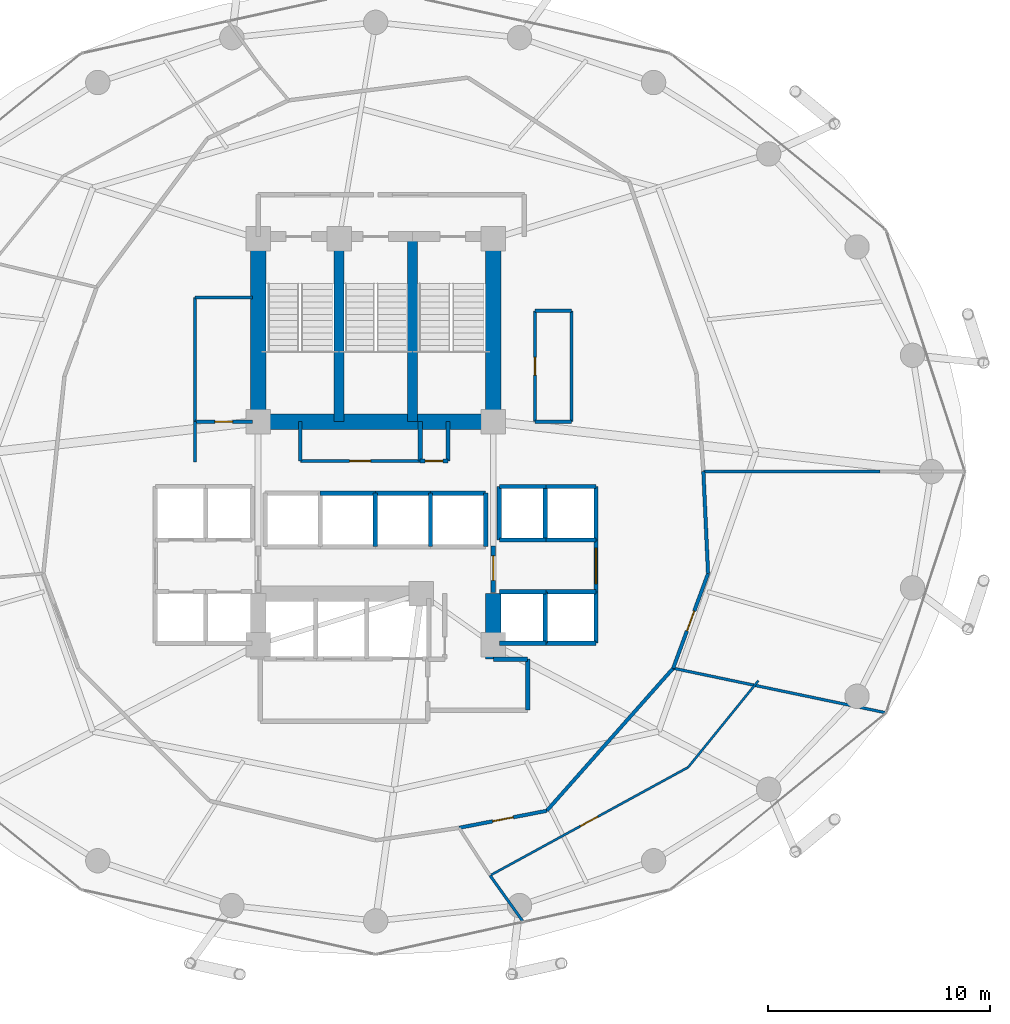
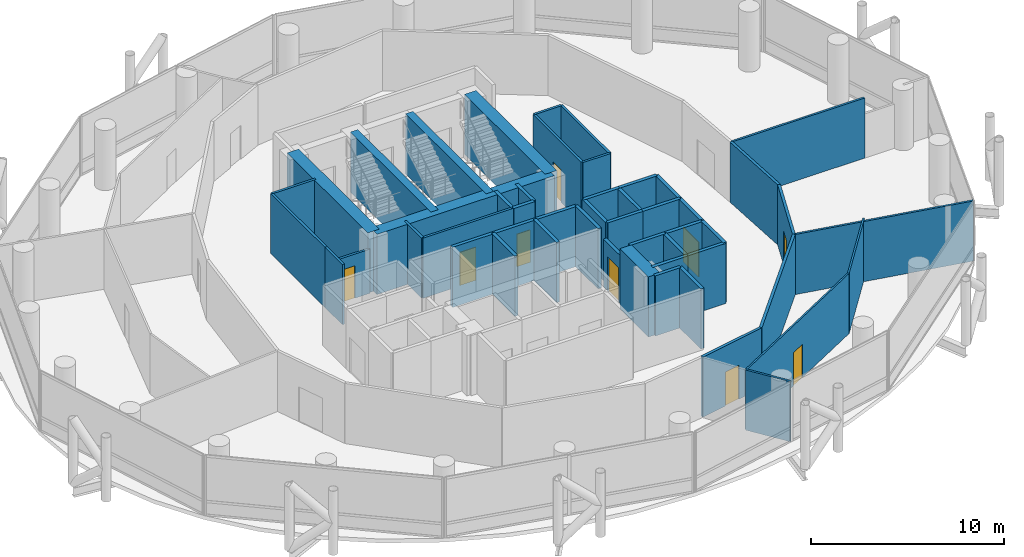
# One storey, part 22 of 24: 51 walls, 9 doors, 9 openings.
"""IFC4 building model written with IfcOpenShell, lengths in metres."""

from ifc_helpers import new_model, si_unit, direction, frame, frame_2d, origin, place, context, subcontext, project, spatial, rectangle, extrude, material, layer, layer_set, type_object, element, fill, save


model = new_model("IFC4")

# Units and contexts
model_context = context("Model", 3, precision=1e-05, world=origin(), true_north=direction((0.0, 1.0)))
body_context = subcontext(model_context, "Body", "Model", "MODEL_VIEW")
ifc_project = project(units=[si_unit("LENGTHUNIT", "METRE"), si_unit("AREAUNIT", "SQUARE_METRE"), si_unit("VOLUMEUNIT", "CUBIC_METRE"), si_unit("PLANEANGLEUNIT", "RADIAN"), si_unit("MASSUNIT", "GRAM", prefix="KILO")], contexts=[model_context])

# Site, building, storey
site_placement = place(None, origin())
site = spatial("IfcSite", under=ifc_project, at=site_placement, CompositionType="ELEMENT")
building_placement = place(site_placement, origin())
building = spatial("IfcBuilding", under=site, at=building_placement, Name="Nuhasar Tower", CompositionType="ELEMENT")
storey_placement = place(building_placement, frame((0.0, 0.0, 89.85009765625)))
storey = spatial("IfcBuildingStorey", under=building, at=storey_placement, Name="L21", CompositionType="ELEMENT", Elevation=89.85009765625)

# Walls
ifc_material_1 = material(Name="Concrete C50/60", Category="concrete")
ifc_layer_1 = layer(ifc_material_1, 0.449951171875)
ifc_layer_set_1 = layer_set([ifc_layer_1], Name="Concrete C50/60")
wall_type_1 = type_object("IfcWallType", Name="WL-CORE-450", PredefinedType="SHEAR", material=ifc_layer_set_1)
for number, where, z_axis, x_axis, name in (
    (1, (37.35009765625, 29.050048828125, 0.0), (0.0, 0.0, 1.0), (0.0, 1.0, 0.0), "L21 Stairwell Shear Wall ST01-E"),
    (2, (40.64990234375, 29.050048828125, 0.0), (0.0, 0.0, 1.0), (0.0, 1.0, 0.0), "L21 Stairwell Shear Wall ST03-E"),
):
    element("IfcWall", number, at=place(storey_placement, frame(where, z_axis=z_axis, x_axis=x_axis)), inside=storey, type_object=wall_type_1, Name=name, PredefinedType="SHEAR", context=body_context, shape_type="SweptSolid", body=[
        extrude(rectangle(XDim=8.349853515625, YDim=0.449951171875, at=frame_2d((4.1748046875, 0.0))), origin(), (0.0, 0.0, 1.0), 3.7998046875),
    ])
ifc_material_2 = material(Name="Concrete C65/80", Category="concrete")
ifc_layer_2 = layer(ifc_material_2, 0.699951171875)
ifc_layer_set_2 = layer_set([ifc_layer_2], Name="Concrete C65/80")
wall_type_2 = type_object("IfcWallType", Name="WL-CORE-700", PredefinedType="SHEAR", material=ifc_layer_set_2)
for number, where, z_axis, x_axis, name in (
    (3, (33.699951171875, 29.050048828125, 0.0), (0.0, 0.0, 1.0), (0.0, 1.0, 0.0), "L21 Core Shear Wall CW-NW CW-700"),
    (4, (44.300048828125, 29.050048828125, 0.0), (0.0, 0.0, 1.0), (0.0, 1.0, 0.0), "L21 Core Shear Wall CW-NE CW-700"),
):
    element("IfcWall", number, at=place(storey_placement, frame(where, z_axis=z_axis, x_axis=x_axis)), inside=storey, type_object=wall_type_2, Name=name, PredefinedType="SHEAR", context=body_context, shape_type="SweptSolid", body=[
        extrude(rectangle(XDim=8.349853515625, YDim=0.699951171875, at=frame_2d((4.1748046875, 0.0))), origin(), (0.0, 0.0, 1.0), 3.7998046875),
    ])
wall_1_placement = place(storey_placement, frame((44.300048828125, 18.35009765625, 0.0), z_axis=(0.0, 0.0, 1.0), x_axis=(0.0, 1.0, 0.0)))
element("IfcWall", 5, at=wall_1_placement, inside=storey, type_object=wall_type_2, Name="L21 Core Shear Wall CW-SE CW-700", PredefinedType="SHEAR", context=body_context, shape_type="SweptSolid", body=[
    extrude(rectangle(XDim=2.949951171875, YDim=0.699951171875, at=frame_2d((1.47509765625, 0.0))), origin(), (0.0, 0.0, 1.0), 3.7998046875),
])
wall_2_placement = place(storey_placement, frame((33.699951171875, 29.050048828125, 0.0), z_axis=(0.0, 0.0, 1.0), x_axis=(1.0, 0.0, 0.0)))
element("IfcWall", 6, at=wall_2_placement, inside=storey, type_object=wall_type_2, Name="L21 Core Shear Wall CW-N1 CW-700", PredefinedType="SHEAR", context=body_context, shape_type="SweptSolid", body=[
    extrude(rectangle(XDim=10.60009765625, YDim=0.699951171875, at=frame_2d((5.300048828125, 0.0))), origin(), (0.0, 0.0, 1.0), 3.7998046875),
])

# Wall, opening, door
ifc_material_3 = material(Name="Gypsum Board", Category="gypsum")
ifc_layer_3 = layer(ifc_material_3, 0.159912109375)
ifc_layer_set_3 = layer_set([ifc_layer_3], Name="Gypsum Board")
wall_type_3 = type_object("IfcWallType", Name="WL-CORR-160", PredefinedType="PARTITIONING", material=ifc_layer_set_3)
wall_3_placement = place(storey_placement, frame((46.7099609375, 11.513916015625, 0.0), z_axis=(0.0, 0.0, 1.0), x_axis=(-0.981643469131, -0.1907251937, 0.0)))
wall_3 = element("IfcWall", 7, at=wall_3_placement, inside=storey, type_object=wall_type_3, Name="L21 Interior Partition CORR-38", PredefinedType="PARTITIONING", context=body_context, shape_type="SweptSolid", body=[
    extrude(rectangle(XDim=4.02587890625, YDim=0.159912109375, at=frame_2d((2.012939453125, 0.0))), origin(), (0.0, 0.0, 1.0), 3.7998046875),
])
opening_1_placement = place(wall_3_placement, frame((1.5380859375, 0.0, 0.0)))
opening_1 = element("IfcOpeningElement", 8, at=opening_1_placement, cuts=wall_3, Name="Opening DO-01", PredefinedType="OPENING", context=body_context, shape_type="SweptSolid", body=[
    extrude(rectangle(XDim=0.949951171875, YDim=2.14990234375, at=frame_2d((0.47509765625, 1.074951171875))), frame((0.0, 0.08984375, 0.0), z_axis=(0.0, -1.0, 0.0), x_axis=(1.0, 0.0, 0.0)), (0.0, 0.0, 1.0), 0.179931640625),
])
ifc_material_4 = material(Name="Timber Oak", Category="wood")
door_type_1 = type_object("IfcDoorType", Name="DR-OFFICE-FD30-950", OperationType="NOTDEFINED", PredefinedType="DOOR", material=ifc_material_4)
door_1_placement = place(opening_1_placement, origin())
door_1 = element("IfcDoor", 9, at=door_1_placement, inside=storey, type_object=door_type_1, Name="L21 Press Briefing Room Entry Door", OperationType="SINGLE_SWING_LEFT", OverallHeight=2.14990234375, OverallWidth=0.949951171875, PredefinedType="DOOR", context=body_context, shape_type="SweptSolid", body=[
    extrude(rectangle(XDim=0.949951171875, YDim=2.14990234375, at=frame_2d((0.47509765625, 1.074951171875))), frame((0.0, 0.02490234375, 0.0), z_axis=(0.0, -1.0, 0.0), x_axis=(1.0, 0.0, 0.0)), (0.0, 0.0, 1.0), 0.050048828125),
])
fill(opening_1, door_1)

# Wall
wall_4_placement = place(storey_placement, frame((46.7099609375, 11.513916015625, 0.0), z_axis=(0.0, 0.0, 1.0), x_axis=(0.663571234799, 0.74811310398, 0.0)))
element("IfcWall", 10, at=wall_4_placement, inside=storey, type_object=wall_type_3, Name="L21 Interior Partition CORR-40", PredefinedType="PARTITIONING", context=body_context, shape_type="SweptSolid", body=[
    extrude(rectangle(XDim=8.58837890625, YDim=0.159912109375, at=frame_2d((4.294189453125, 0.0))), origin(), (0.0, 0.0, 1.0), 3.7998046875),
])

# Wall, opening, door
wall_5_placement = place(storey_placement, frame((53.98095703125, 22.205078125, 0.0), z_axis=(0.0, 0.0, 1.0), x_axis=(-0.345762592588, -0.938322028712, 0.0)))
wall_5 = element("IfcWall", 11, at=wall_5_placement, inside=storey, type_object=wall_type_3, Name="L21 Interior Partition CORR-44", PredefinedType="PARTITIONING", context=body_context, shape_type="SweptSolid", body=[
    extrude(rectangle(XDim=4.546630859375, YDim=0.159912109375, at=frame_2d((2.2734375, 0.0))), origin(), (0.0, 0.0, 1.0), 3.7998046875),
])
opening_2_placement = place(wall_5_placement, frame((1.798095703125, 0.0, 0.0)))
opening_2 = element("IfcOpeningElement", 12, at=opening_2_placement, cuts=wall_5, Name="Opening DO-01", PredefinedType="OPENING", context=body_context, shape_type="SweptSolid", body=[
    extrude(rectangle(XDim=0.949951171875, YDim=2.14990234375, at=frame_2d((0.47509765625, 1.074951171875))), frame((0.0, 0.08984375, 0.0), z_axis=(0.0, -1.0, 0.0), x_axis=(1.0, 0.0, 0.0)), (0.0, 0.0, 1.0), 0.179931640625),
])
door_2_placement = place(opening_2_placement, origin())
door_2 = element("IfcDoor", 13, at=door_2_placement, inside=storey, type_object=door_type_1, Name="L21 Diplomatic Registry Store Entry Door", OperationType="SINGLE_SWING_LEFT", OverallHeight=2.14990234375, OverallWidth=0.949951171875, PredefinedType="DOOR", context=body_context, shape_type="SweptSolid", body=[
    extrude(rectangle(XDim=0.949951171875, YDim=2.14990234375, at=frame_2d((0.47509765625, 1.074951171875))), frame((0.0, 0.02490234375, 0.0), z_axis=(0.0, -1.0, 0.0), x_axis=(1.0, 0.0, 0.0)), (0.0, 0.0, 1.0), 0.050048828125),
])
fill(opening_2, door_2)

# Wall
wall_6_placement = place(storey_placement, frame((53.98095703125, 22.205078125, 0.0), z_axis=(0.0, 0.0, 1.0), x_axis=(-0.045857874173, 0.998947974309, 0.0)))
element("IfcWall", 14, at=wall_6_placement, inside=storey, type_object=wall_type_3, Name="L21 Interior Partition CORR-46", PredefinedType="PARTITIONING", context=body_context, shape_type="SweptSolid", body=[
    extrude(rectangle(XDim=4.599853515625, YDim=0.159912109375, at=frame_2d((2.2998046875, 0.0))), origin(), (0.0, 0.0, 1.0), 3.7998046875),
])

# Wall, opening, door
ifc_material_5 = material(Name="Concrete C45/55", Category="concrete")
ifc_layer_4 = layer(ifc_material_5, 0.199951171875)
ifc_layer_set_4 = layer_set([ifc_layer_4], Name="Concrete C45/55")
wall_type_4 = type_object("IfcWallType", Name="WL-LOBBY-200", PredefinedType="SOLIDWALL", material=ifc_layer_set_4)
wall_7_placement = place(storey_placement, frame((48.929931640625, 21.3798828125, 0.0), z_axis=(0.0, 0.0, 1.0), x_axis=(0.0, 1.0, 0.0)))
wall_7 = element("IfcWall", 15, at=wall_7_placement, inside=storey, type_object=wall_type_4, Name="L21 Interior Partition LLBM-E", PredefinedType="SOLIDWALL", context=body_context, shape_type="SweptSolid", body=[
    extrude(rectangle(XDim=2.340087890625, YDim=0.199951171875, at=frame_2d((1.169921875, 0.0))), origin(), (0.0, 0.0, 1.0), 3.7998046875),
])
opening_3_placement = place(wall_7_placement, frame((0.3701171875, 0.0, 0.0)))
opening_3 = element("IfcOpeningElement", 16, at=opening_3_placement, cuts=wall_7, Name="Opening DC-01", PredefinedType="OPENING", context=body_context, shape_type="SweptSolid", body=[
    extrude(rectangle(XDim=1.60009765625, YDim=2.199951171875, at=frame_2d((0.800048828125, 1.10009765625))), frame((0.0, 0.10986328125, 0.0), z_axis=(0.0, -1.0, 0.0), x_axis=(1.0, 0.0, 0.0)), (0.0, 0.0, 1.0), 0.219970703125),
])
ifc_material_6 = material(Name="Steel S355", Category="steel")
door_type_2 = type_object("IfcDoorType", Name="DR-CORR-FD60-1600", OperationType="DOUBLE_DOOR_SINGLE_SWING", PredefinedType="DOOR", material=ifc_material_6)
door_3_placement = place(opening_3_placement, origin())
door_3 = element("IfcDoor", 17, at=door_3_placement, inside=storey, type_object=door_type_2, Name="L21 Mid-Rise Lift Lobby East Entry", OperationType="DOUBLE_DOOR_SINGLE_SWING", OverallHeight=2.199951171875, OverallWidth=1.60009765625, PredefinedType="DOOR", context=body_context, shape_type="SweptSolid", body=[
    extrude(rectangle(XDim=1.60009765625, YDim=2.199951171875, at=frame_2d((0.800048828125, 1.10009765625))), frame((0.0, 0.02490234375, 0.0), z_axis=(0.0, -1.0, 0.0), x_axis=(1.0, 0.0, 0.0)), (0.0, 0.0, 1.0), 0.050048828125),
])
fill(opening_3, door_3)

wall_8_placement = place(storey_placement, frame((44.300048828125, 21.35009765625, 0.0), z_axis=(0.0, 0.0, 1.0), x_axis=(0.0, 1.0, 0.0)))
wall_8 = element("IfcWall", 18, at=wall_8_placement, inside=storey, type_object=wall_type_4, Name="L21 Interior Partition LLBH-E", PredefinedType="SOLIDWALL", context=body_context, shape_type="SweptSolid", body=[
    extrude(rectangle(XDim=2.099853515625, YDim=0.199951171875, at=frame_2d((1.0498046875, 0.0))), origin(), (0.0, 0.0, 1.0), 3.02001953125),
])
opening_4_placement = place(wall_8_placement, frame((0.550048828125, 0.0, 0.0)))
opening_4 = element("IfcOpeningElement", 19, at=opening_4_placement, cuts=wall_8, Name="Opening DS-02", PredefinedType="OPENING", context=body_context, shape_type="SweptSolid", body=[
    extrude(rectangle(XDim=1.10009765625, YDim=2.14990234375, at=frame_2d((0.550048828125, 1.074951171875))), frame((0.0, 0.10986328125, 0.0), z_axis=(0.0, -1.0, 0.0), x_axis=(1.0, 0.0, 0.0)), (0.0, 0.0, 1.0), 0.219970703125),
])
door_type_3 = type_object("IfcDoorType", Name="DR-FFL-FD120-1100", OperationType="NOTDEFINED", PredefinedType="DOOR", material=ifc_material_6)
door_4_placement = place(opening_4_placement, origin())
door_4 = element("IfcDoor", 20, at=door_4_placement, inside=storey, type_object=door_type_3, Name="L21 High-Rise Lobby East Door", OperationType="SINGLE_SWING_RIGHT", OverallHeight=2.14990234375, OverallWidth=1.10009765625, PredefinedType="DOOR", context=body_context, shape_type="SweptSolid", body=[
    extrude(rectangle(XDim=1.10009765625, YDim=2.14990234375, at=frame_2d((0.550048828125, 1.074951171875))), frame((0.0, 0.02490234375, 0.0), z_axis=(0.0, -1.0, 0.0), x_axis=(1.0, 0.0, 0.0)), (0.0, 0.0, 1.0), 0.050048828125),
])
fill(opening_4, door_4)

# Walls
wall_9_placement = place(storey_placement, frame((45.85009765625, 16.050048828125, 0.0), z_axis=(0.0, 0.0, 1.0), x_axis=(0.0, 1.0, 0.0)))
element("IfcWall", 21, at=wall_9_placement, inside=storey, type_object=wall_type_4, Name="L21 Interior Partition SVLV-E", PredefinedType="SOLIDWALL", context=body_context, shape_type="SweptSolid", body=[
    extrude(rectangle(XDim=2.300048828125, YDim=0.199951171875, at=frame_2d((1.14990234375, 0.0))), origin(), (0.0, 0.0, 1.0), 3.7998046875),
])
wall_10_placement = place(storey_placement, frame((44.300048828125, 18.35009765625, 0.0), z_axis=(0.0, 0.0, 1.0), x_axis=(1.0, 0.0, 0.0)))
element("IfcWall", 22, at=wall_10_placement, inside=storey, type_object=wall_type_4, Name="L21 Interior Partition SVLV-N", PredefinedType="SOLIDWALL", context=body_context, shape_type="SweptSolid", body=[
    extrude(rectangle(XDim=1.550048828125, YDim=0.199951171875, at=frame_2d((0.77490234375, 0.0))), origin(), (0.0, 0.0, 1.0), 3.7998046875),
])

# Wall, opening, door
ifc_material_7 = material(Name="Aluminium 6063-T6", Category="aluminium")
ifc_layer_5 = layer(ifc_material_7, 0.10009765625)
ifc_layer_set_5 = layer_set([ifc_layer_5], Name="Aluminium 6063-T6")
wall_type_5 = type_object("IfcWallType", Name="WL-MOVABLE-100", PredefinedType="MOVABLE", material=ifc_layer_set_5)
wall_11_placement = place(storey_placement, frame((53.083984375, 13.47509765625, 0.0), z_axis=(0.0, 0.0, 1.0), x_axis=(-0.877612050375, -0.479371556349, 0.0)))
wall_11 = element("IfcWall", 23, at=wall_11_placement, inside=storey, type_object=wall_type_5, Name="L21 Interior Partition OMID-05-38", PredefinedType="MOVABLE", context=body_context, shape_type="SweptSolid", body=[
    extrude(rectangle(XDim=10.174072265625, YDim=0.10009765625, at=frame_2d((5.0869140625, 0.0))), origin(), (0.0, 0.0, 1.0), 3.7998046875),
])
opening_5_placement = place(wall_11_placement, frame((4.636962890625, 0.0, 0.0)))
opening_5 = element("IfcOpeningElement", 24, at=opening_5_placement, cuts=wall_11, Name="Opening DR-01", PredefinedType="OPENING", context=body_context, shape_type="SweptSolid", body=[
    extrude(rectangle(XDim=0.89990234375, YDim=2.10009765625, at=frame_2d((0.449951171875, 1.050048828125))), frame((0.0, 0.06005859375, 0.0), z_axis=(0.0, -1.0, 0.0), x_axis=(1.0, 0.0, 0.0)), (0.0, 0.0, 1.0), 0.1201171875),
])
door_type_4 = type_object("IfcDoorType", Name="DR-ROOM-900", OperationType="NOTDEFINED", PredefinedType="DOOR", material=ifc_material_4)
door_5_placement = place(opening_5_placement, origin())
door_5 = element("IfcDoor", 25, at=door_5_placement, inside=storey, type_object=door_type_4, Name="L21 Press Briefing Room Inner Door", OperationType="SINGLE_SWING_LEFT", OverallHeight=2.10009765625, OverallWidth=0.89990234375, PredefinedType="DOOR", context=body_context, shape_type="SweptSolid", body=[
    extrude(rectangle(XDim=0.89990234375, YDim=2.10009765625, at=frame_2d((0.449951171875, 1.050048828125))), frame((0.0, 0.02490234375, 0.0), z_axis=(0.0, -1.0, 0.0), x_axis=(1.0, 0.0, 0.0)), (0.0, 0.0, 1.0), 0.050048828125),
])
fill(opening_5, door_5)

# Walls
wall_12_placement = place(storey_placement, frame((53.083984375, 13.47509765625, 0.0), z_axis=(0.0, 0.0, 1.0), x_axis=(0.62987167678, 0.776699215134, 0.0)))
element("IfcWall", 26, at=wall_12_placement, inside=storey, type_object=wall_type_5, Name="L21 Interior Partition OMID-05-42", PredefinedType="MOVABLE", context=body_context, shape_type="SweptSolid", body=[
    extrude(rectangle(XDim=5.02490234375, YDim=0.10009765625, at=frame_2d((2.512451171875, 0.0))), origin(), (0.0, 0.0, 1.0), 3.7998046875),
])
ifc_layer_6 = layer(ifc_material_3, 0.125)
ifc_layer_set_6 = layer_set([ifc_layer_6], Name="Gypsum Board")
wall_type_6 = type_object("IfcWallType", Name="WL-PART-125", PredefinedType="PARTITIONING", material=ifc_layer_set_6)
wall_13_placement = place(storey_placement, frame((53.77001953125, 26.800048828125, 0.0), z_axis=(0.0, 0.0, 1.0), x_axis=(1.0, 0.0, 0.0)))
element("IfcWall", 27, at=wall_13_placement, inside=storey, type_object=wall_type_6, Name="L21 Interior Partition ORAD-00", PredefinedType="PARTITIONING", context=body_context, shape_type="SweptSolid", body=[
    extrude(rectangle(XDim=7.9599609375, YDim=0.125, at=frame_2d((3.97998046875, 0.0))), origin(), (0.0, 0.0, 1.0), 3.7998046875),
])
wall_14_placement = place(storey_placement, frame((44.155029296875, 8.597900390625, 0.0), z_axis=(0.0, 0.0, 1.0), x_axis=(0.581238193719, -0.813733471207, 0.0)))
element("IfcWall", 28, at=wall_14_placement, inside=storey, type_object=wall_type_6, Name="L21 Interior Partition ORAD-38-S2", PredefinedType="PARTITIONING", context=body_context, shape_type="SweptSolid", body=[
    extrude(rectangle(XDim=2.541259765625, YDim=0.125, at=frame_2d((1.2705078125, 0.0))), origin(), (0.0, 0.0, 1.0), 3.7998046875),
])
wall_15_placement = place(storey_placement, frame((52.408935546875, 17.93896484375, 0.0), z_axis=(0.0, 0.0, 1.0), x_axis=(0.978778270652, -0.204922172786, 0.0)))
element("IfcWall", 29, at=wall_15_placement, inside=storey, type_object=wall_type_6, Name="L21 Interior Partition ORAD-44", PredefinedType="PARTITIONING", context=body_context, shape_type="SweptSolid", body=[
    extrude(rectangle(XDim=9.769287109375, YDim=0.125, at=frame_2d((4.884765625, 0.0))), origin(), (0.0, 0.0, 1.0), 3.7998046875),
])
ifc_layer_7 = layer(ifc_material_5, 0.199951171875)
ifc_layer_set_7 = layer_set([ifc_layer_7], Name="Concrete C45/55")
wall_type_7 = type_object("IfcWallType", Name="WL-SHAFT-200", PredefinedType="SOLIDWALL", material=ifc_layer_set_7)
for number, where, z_axis, x_axis, name in (
    (30, (41.0, 27.280029296875, 0.0), (0.0, 0.0, 1.0), (0.0, 1.0, 0.0), "L21 Interior Partition RSRN-W"),
    (31, (42.260009765625, 27.280029296875, 0.0), (0.0, 0.0, 1.0), (0.0, 1.0, 0.0), "L21 Interior Partition RSRN-E"),
):
    element("IfcWall", number, at=place(storey_placement, frame(where, z_axis=z_axis, x_axis=x_axis)), inside=storey, type_object=wall_type_7, Name=name, PredefinedType="SOLIDWALL", context=body_context, shape_type="SweptSolid", body=[
        extrude(rectangle(XDim=1.77001953125, YDim=0.199951171875, at=frame_2d((0.885009765625, 0.0))), origin(), (0.0, 0.0, 1.0), 3.7998046875),
    ])

# Wall, opening, door
wall_16_placement = place(storey_placement, frame((41.0, 27.280029296875, 0.0), z_axis=(0.0, 0.0, 1.0), x_axis=(1.0, 0.0, 0.0)))
wall_16 = element("IfcWall", 32, at=wall_16_placement, inside=storey, type_object=wall_type_7, Name="L21 Interior Partition RSRN-S", PredefinedType="SOLIDWALL", context=body_context, shape_type="SweptSolid", body=[
    extrude(rectangle(XDim=1.260009765625, YDim=0.199951171875, at=frame_2d((0.6298828125, 0.0))), origin(), (0.0, 0.0, 1.0), 3.7998046875),
])
opening_6_placement = place(wall_16_placement, frame((0.22998046875, 0.0, 0.0)))
opening_6 = element("IfcOpeningElement", 33, at=opening_6_placement, cuts=wall_16, Name="Opening DM-01", PredefinedType="OPENING", context=body_context, shape_type="SweptSolid", body=[
    extrude(rectangle(XDim=0.800048828125, YDim=2.050048828125, at=frame_2d((0.39990234375, 1.02490234375))), frame((0.0, 0.10986328125, 0.0), z_axis=(0.0, -1.0, 0.0), x_axis=(1.0, 0.0, 0.0)), (0.0, 0.0, 1.0), 0.219970703125),
])
door_type_5 = type_object("IfcDoorType", Name="DR-RISER-FD60-800", OperationType="NOTDEFINED", PredefinedType="DOOR", material=ifc_material_6)
door_6_placement = place(opening_6_placement, origin())
door_6 = element("IfcDoor", 34, at=door_6_placement, inside=storey, type_object=door_type_5, Name="L21 North Smoke Riser Door", OperationType="SINGLE_SWING_RIGHT", OverallHeight=2.050048828125, OverallWidth=0.800048828125, PredefinedType="DOOR", context=body_context, shape_type="SweptSolid", body=[
    extrude(rectangle(XDim=0.800048828125, YDim=2.050048828125, at=frame_2d((0.39990234375, 1.02490234375))), frame((0.0, 0.02490234375, 0.0), z_axis=(0.0, -1.0, 0.0), x_axis=(1.0, 0.0, 0.0)), (0.0, 0.0, 1.0), 0.050048828125),
])
fill(opening_6, door_6)

# Walls
for number, where, z_axis, x_axis, name in (
    (35, (44.570068359375, 23.719970703125, 0.0), (0.0, 0.0, 1.0), (1.0, 0.0, 0.0), "L21 Interior Partition SHF-PL-M01-S"),
    (36, (44.570068359375, 26.1298828125, 0.0), (0.0, 0.0, 1.0), (1.0, 0.0, 0.0), "L21 Interior Partition SHF-PL-M01-N"),
):
    element("IfcWall", number, at=place(storey_placement, frame(where, z_axis=z_axis, x_axis=x_axis)), inside=storey, type_object=wall_type_7, Name=name, PredefinedType="SOLIDWALL", context=body_context, shape_type="SweptSolid", body=[
        extrude(rectangle(XDim=2.10986328125, YDim=0.199951171875, at=frame_2d((1.054931640625, 0.0))), origin(), (0.0, 0.0, 1.0), 3.7998046875),
    ])
for number, where, z_axis, x_axis, name in (
    (37, (44.570068359375, 23.719970703125, 0.0), (0.0, 0.0, 1.0), (0.0, 1.0, 0.0), "L21 Interior Partition SHF-PL-M01-W"),
    (38, (46.64990234375, 23.719970703125, 0.0), (0.0, 0.0, 1.0), (0.0, 1.0, 0.0), "L21 Interior Partition SHF-PL-M01-E"),
):
    element("IfcWall", number, at=place(storey_placement, frame(where, z_axis=z_axis, x_axis=x_axis)), inside=storey, type_object=wall_type_7, Name=name, PredefinedType="SOLIDWALL", context=body_context, shape_type="SweptSolid", body=[
        extrude(rectangle(XDim=2.409912109375, YDim=0.199951171875, at=frame_2d((1.205078125, 0.0))), origin(), (0.0, 0.0, 1.0), 3.7998046875),
    ])
for number, where, z_axis, x_axis, name in (
    (39, (46.6201171875, 23.719970703125, 0.0), (0.0, 0.0, 1.0), (1.0, 0.0, 0.0), "L21 Interior Partition SHF-PL-M02-S"),
    (40, (46.6201171875, 26.1298828125, 0.0), (0.0, 0.0, 1.0), (1.0, 0.0, 0.0), "L21 Interior Partition SHF-PL-M02-N"),
):
    element("IfcWall", number, at=place(storey_placement, frame(where, z_axis=z_axis, x_axis=x_axis)), inside=storey, type_object=wall_type_7, Name=name, PredefinedType="SOLIDWALL", context=body_context, shape_type="SweptSolid", body=[
        extrude(rectangle(XDim=2.309814453125, YDim=0.199951171875, at=frame_2d((1.15478515625, 0.0))), origin(), (0.0, 0.0, 1.0), 3.7998046875),
    ])
wall_17_placement = place(storey_placement, frame((48.929931640625, 23.719970703125, 0.0), z_axis=(0.0, 0.0, 1.0), x_axis=(0.0, 1.0, 0.0)))
element("IfcWall", 41, at=wall_17_placement, inside=storey, type_object=wall_type_7, Name="L21 Interior Partition SHF-PL-M02-E", PredefinedType="SOLIDWALL", context=body_context, shape_type="SweptSolid", body=[
    extrude(rectangle(XDim=2.409912109375, YDim=0.199951171875, at=frame_2d((1.205078125, 0.0))), origin(), (0.0, 0.0, 1.0), 3.7998046875),
])
for number, where, z_axis, x_axis, name in (
    (42, (44.570068359375, 19.070068359375, 0.0), (0.0, 0.0, 1.0), (1.0, 0.0, 0.0), "L21 Interior Partition SHF-PL-M03-S"),
    (43, (44.570068359375, 21.3798828125, 0.0), (0.0, 0.0, 1.0), (1.0, 0.0, 0.0), "L21 Interior Partition SHF-PL-M03-N"),
):
    element("IfcWall", number, at=place(storey_placement, frame(where, z_axis=z_axis, x_axis=x_axis)), inside=storey, type_object=wall_type_7, Name=name, PredefinedType="SOLIDWALL", context=body_context, shape_type="SweptSolid", body=[
        extrude(rectangle(XDim=2.10986328125, YDim=0.199951171875, at=frame_2d((1.054931640625, 0.0))), origin(), (0.0, 0.0, 1.0), 3.7998046875),
    ])
for number, where, z_axis, x_axis, name in (
    (44, (46.64990234375, 19.070068359375, 0.0), (0.0, 0.0, 1.0), (0.0, 1.0, 0.0), "L21 Interior Partition SHF-PL-M03-E"),
    (45, (46.6201171875, 19.070068359375, 0.0), (0.0, 0.0, 1.0), (1.0, 0.0, 0.0), "L21 Interior Partition SHF-PL-M04-S"),
    (46, (46.6201171875, 21.3798828125, 0.0), (0.0, 0.0, 1.0), (1.0, 0.0, 0.0), "L21 Interior Partition SHF-PL-M04-N"),
    (47, (48.929931640625, 19.070068359375, 0.0), (0.0, 0.0, 1.0), (0.0, 1.0, 0.0), "L21 Interior Partition SHF-PL-M04-E"),
):
    element("IfcWall", number, at=place(storey_placement, frame(where, z_axis=z_axis, x_axis=x_axis)), inside=storey, type_object=wall_type_7, Name=name, PredefinedType="SOLIDWALL", context=body_context, shape_type="SweptSolid", body=[
        extrude(rectangle(XDim=2.309814453125, YDim=0.199951171875, at=frame_2d((1.15478515625, 0.0))), origin(), (0.0, 0.0, 1.0), 3.7998046875),
    ])
wall_18_placement = place(storey_placement, frame((36.5, 25.830078125, 0.0), z_axis=(0.0, 0.0, 1.0), x_axis=(1.0, 0.0, 0.0)))
element("IfcWall", 48, at=wall_18_placement, inside=storey, type_object=wall_type_7, Name="L21 Interior Partition SHF-PL-H02-N", PredefinedType="SOLIDWALL", context=body_context, shape_type="SweptSolid", body=[
    extrude(rectangle(XDim=2.5, YDim=0.199951171875, at=frame_2d((1.25, 0.0))), origin(), (0.0, 0.0, 1.0), 3.7998046875),
])
wall_19_placement = place(storey_placement, frame((38.989990234375, 23.419921875, 0.0), z_axis=(0.0, 0.0, 1.0), x_axis=(0.0, 1.0, 0.0)))
element("IfcWall", 49, at=wall_19_placement, inside=storey, type_object=wall_type_7, Name="L21 Interior Partition SHF-PL-H02-E", PredefinedType="SOLIDWALL", context=body_context, shape_type="SweptSolid", body=[
    extrude(rectangle(XDim=2.41015625, YDim=0.199951171875, at=frame_2d((1.205078125, 0.0))), origin(), (0.0, 0.0, 1.0), 3.7998046875),
])
wall_20_placement = place(storey_placement, frame((38.97998046875, 25.830078125, 0.0), z_axis=(0.0, 0.0, 1.0), x_axis=(1.0, 0.0, 0.0)))
element("IfcWall", 50, at=wall_20_placement, inside=storey, type_object=wall_type_7, Name="L21 Interior Partition SHF-PL-H03-N", PredefinedType="SOLIDWALL", context=body_context, shape_type="SweptSolid", body=[
    extrude(rectangle(XDim=2.5, YDim=0.199951171875, at=frame_2d((1.25, 0.0))), origin(), (0.0, 0.0, 1.0), 3.7998046875),
])
wall_21_placement = place(storey_placement, frame((41.469970703125, 23.419921875, 0.0), z_axis=(0.0, 0.0, 1.0), x_axis=(0.0, 1.0, 0.0)))
element("IfcWall", 51, at=wall_21_placement, inside=storey, type_object=wall_type_7, Name="L21 Interior Partition SHF-PL-H03-E", PredefinedType="SOLIDWALL", context=body_context, shape_type="SweptSolid", body=[
    extrude(rectangle(XDim=2.41015625, YDim=0.199951171875, at=frame_2d((1.205078125, 0.0))), origin(), (0.0, 0.0, 1.0), 3.7998046875),
])
wall_22_placement = place(storey_placement, frame((41.4599609375, 25.830078125, 0.0), z_axis=(0.0, 0.0, 1.0), x_axis=(1.0, 0.0, 0.0)))
element("IfcWall", 52, at=wall_22_placement, inside=storey, type_object=wall_type_7, Name="L21 Interior Partition SHF-PL-H04-N", PredefinedType="SOLIDWALL", context=body_context, shape_type="SweptSolid", body=[
    extrude(rectangle(XDim=2.5, YDim=0.199951171875, at=frame_2d((1.25, 0.0))), origin(), (0.0, 0.0, 1.0), 3.7998046875),
])
wall_23_placement = place(storey_placement, frame((43.9599609375, 23.419921875, 0.0), z_axis=(0.0, 0.0, 1.0), x_axis=(0.0, 1.0, 0.0)))
element("IfcWall", 53, at=wall_23_placement, inside=storey, type_object=wall_type_7, Name="L21 Interior Partition SHF-PL-H04-E", PredefinedType="SOLIDWALL", context=body_context, shape_type="SweptSolid", body=[
    extrude(rectangle(XDim=2.41015625, YDim=0.199951171875, at=frame_2d((1.205078125, 0.0))), origin(), (0.0, 0.0, 1.0), 3.7998046875),
])
ifc_material_8 = material(Name="Concrete C40/50 precast", Category="concrete")
ifc_layer_8 = layer(ifc_material_8, 0.139892578125)
ifc_layer_set_8 = layer_set([ifc_layer_8], Name="Concrete C40/50 precast")
wall_type_8 = type_object("IfcWallType", Name="WL-WET-140", PredefinedType="PARTITIONING", material=ifc_layer_set_8)
wall_24_placement = place(storey_placement, frame((35.60009765625, 27.280029296875, 0.0), z_axis=(0.0, 0.0, 1.0), x_axis=(0.0, 1.0, 0.0)))
element("IfcWall", 54, at=wall_24_placement, inside=storey, type_object=wall_type_8, Name="L21 Interior Partition CSVC-W", PredefinedType="PARTITIONING", context=body_context, shape_type="SweptSolid", body=[
    extrude(rectangle(XDim=1.77001953125, YDim=0.139892578125, at=frame_2d((0.885009765625, 0.0))), origin(), (0.0, 0.0, 1.0), 3.7998046875),
])

# Wall, opening, door
wall_25_placement = place(storey_placement, frame((35.60009765625, 27.280029296875, 0.0), z_axis=(0.0, 0.0, 1.0), x_axis=(1.0, 0.0, 0.0)))
wall_25 = element("IfcWall", 55, at=wall_25_placement, inside=storey, type_object=wall_type_8, Name="L21 Interior Partition CSVC-S", PredefinedType="PARTITIONING", context=body_context, shape_type="SweptSolid", body=[
    extrude(rectangle(XDim=5.39990234375, YDim=0.139892578125, at=frame_2d((2.699951171875, 0.0))), origin(), (0.0, 0.0, 1.0), 3.7998046875),
])
opening_7_placement = place(wall_25_placement, frame((2.22509765625, 0.0, 0.0)))
opening_7 = element("IfcOpeningElement", 56, at=opening_7_placement, cuts=wall_25, Name="Opening DA-01", PredefinedType="OPENING", context=body_context, shape_type="SweptSolid", body=[
    extrude(rectangle(XDim=0.949951171875, YDim=2.10009765625, at=frame_2d((0.47509765625, 1.050048828125))), frame((0.0, 0.080078125, 0.0), z_axis=(0.0, -1.0, 0.0), x_axis=(1.0, 0.0, 0.0)), (0.0, 0.0, 1.0), 0.159912109375),
])
door_type_6 = type_object("IfcDoorType", Name="DR-ACCWC-950", OperationType="NOTDEFINED", PredefinedType="DOOR", material=ifc_material_4)
door_7_placement = place(opening_7_placement, origin())
door_7 = element("IfcDoor", 57, at=door_7_placement, inside=storey, type_object=door_type_6, Name="L21 Core Accessible Restroom Door", OperationType="SINGLE_SWING_RIGHT", OverallHeight=2.10009765625, OverallWidth=0.949951171875, PredefinedType="DOOR", context=body_context, shape_type="SweptSolid", body=[
    extrude(rectangle(XDim=0.949951171875, YDim=2.10009765625, at=frame_2d((0.47509765625, 1.050048828125))), frame((0.0, 0.02490234375, 0.0), z_axis=(0.0, -1.0, 0.0), x_axis=(1.0, 0.0, 0.0)), (0.0, 0.0, 1.0), 0.050048828125),
])
fill(opening_7, door_7)

# Wall
wall_26_placement = place(storey_placement, frame((30.85009765625, 27.239990234375, 0.0), z_axis=(0.0, 0.0, 1.0), x_axis=(0.0, 1.0, 0.0)))
element("IfcWall", 58, at=wall_26_placement, inside=storey, type_object=wall_type_8, Name="L21 Interior Partition K3-FOY-W", PredefinedType="PARTITIONING", context=body_context, shape_type="SweptSolid", body=[
    extrude(rectangle(XDim=1.81005859375, YDim=0.139892578125, at=frame_2d((0.905029296875, 0.0))), origin(), (0.0, 0.0, 1.0), 3.7998046875),
])

# Wall, opening, door
wall_27_placement = place(storey_placement, frame((30.85009765625, 29.050048828125, 0.0), z_axis=(0.0, 0.0, 1.0), x_axis=(1.0, 0.0, 0.0)))
wall_27 = element("IfcWall", 59, at=wall_27_placement, inside=storey, type_object=wall_type_8, Name="L21 Interior Partition K3-NW-S", PredefinedType="PARTITIONING", context=body_context, shape_type="SweptSolid", body=[
    extrude(rectangle(XDim=2.599853515625, YDim=0.139892578125, at=frame_2d((1.2998046875, 0.0))), origin(), (0.0, 0.0, 1.0), 2.789794921875),
])
opening_8_placement = place(wall_27_placement, frame((0.89990234375, 0.0, 0.0)))
opening_8 = element("IfcOpeningElement", 60, at=opening_8_placement, cuts=wall_27, Name="Opening DM-01", PredefinedType="OPENING", context=body_context, shape_type="SweptSolid", body=[
    extrude(rectangle(XDim=0.800048828125, YDim=2.050048828125, at=frame_2d((0.39990234375, 1.02490234375))), frame((0.0, 0.080078125, 0.0), z_axis=(0.0, -1.0, 0.0), x_axis=(1.0, 0.0, 0.0)), (0.0, 0.0, 1.0), 0.159912109375),
])
door_8_placement = place(opening_8_placement, origin())
door_8 = element("IfcDoor", 61, at=door_8_placement, inside=storey, type_object=door_type_5, Name="L21 NW Electrical Room Door", OperationType="SINGLE_SWING_RIGHT", OverallHeight=2.050048828125, OverallWidth=0.800048828125, PredefinedType="DOOR", context=body_context, shape_type="SweptSolid", body=[
    extrude(rectangle(XDim=0.800048828125, YDim=2.050048828125, at=frame_2d((0.39990234375, 1.02490234375))), frame((0.0, 0.02490234375, 0.0), z_axis=(0.0, -1.0, 0.0), x_axis=(1.0, 0.0, 0.0)), (0.0, 0.0, 1.0), 0.050048828125),
])
fill(opening_8, door_8)

# Walls
wall_28_placement = place(storey_placement, frame((30.85009765625, 34.64990234375, 0.0), z_axis=(0.0, 0.0, 1.0), x_axis=(1.0, 0.0, 0.0)))
element("IfcWall", 62, at=wall_28_placement, inside=storey, type_object=wall_type_8, Name="L21 Interior Partition K3-NW-N", PredefinedType="PARTITIONING", context=body_context, shape_type="SweptSolid", body=[
    extrude(rectangle(XDim=2.599853515625, YDim=0.139892578125, at=frame_2d((1.2998046875, 0.0))), origin(), (0.0, 0.0, 1.0), 3.7998046875),
])
wall_29_placement = place(storey_placement, frame((30.85009765625, 29.050048828125, 0.0), z_axis=(0.0, 0.0, 1.0), x_axis=(0.0, 1.0, 0.0)))
element("IfcWall", 63, at=wall_29_placement, inside=storey, type_object=wall_type_8, Name="L21 Interior Partition K3-NW-W", PredefinedType="PARTITIONING", context=body_context, shape_type="SweptSolid", body=[
    extrude(rectangle(XDim=5.599853515625, YDim=0.139892578125, at=frame_2d((2.7998046875, 0.0))), origin(), (0.0, 0.0, 1.0), 3.7998046875),
])

# Wall, opening, door
wall_30_placement = place(storey_placement, frame((46.179931640625, 34.050048828125, 0.0), z_axis=(0.0, 0.0, 1.0), x_axis=(0.0, -1.0, 0.0)))
wall_30 = element("IfcWall", 64, at=wall_30_placement, inside=storey, type_object=wall_type_8, Name="L21 Interior Partition K3-NE-W", PredefinedType="PARTITIONING", context=body_context, shape_type="SweptSolid", body=[
    extrude(rectangle(XDim=5.0, YDim=0.139892578125, at=frame_2d((2.5, 0.0))), origin(), (0.0, 0.0, 1.0), 3.7998046875),
])
opening_9_placement = place(wall_30_placement, frame((2.10009765625, 0.0, 0.0)))
opening_9 = element("IfcOpeningElement", 65, at=opening_9_placement, cuts=wall_30, Name="Opening DM-01", PredefinedType="OPENING", context=body_context, shape_type="SweptSolid", body=[
    extrude(rectangle(XDim=0.800048828125, YDim=2.050048828125, at=frame_2d((0.39990234375, 1.02490234375))), frame((0.0, 0.080078125, 0.0), z_axis=(0.0, -1.0, 0.0), x_axis=(1.0, 0.0, 0.0)), (0.0, 0.0, 1.0), 0.159912109375),
])
door_9_placement = place(opening_9_placement, origin())
door_9 = element("IfcDoor", 66, at=door_9_placement, inside=storey, type_object=door_type_5, Name="L21 NE Switchgear Room Door", OperationType="SINGLE_SWING_LEFT", OverallHeight=2.050048828125, OverallWidth=0.800048828125, PredefinedType="DOOR", context=body_context, shape_type="SweptSolid", body=[
    extrude(rectangle(XDim=0.800048828125, YDim=2.050048828125, at=frame_2d((0.39990234375, 1.02490234375))), frame((0.0, 0.02490234375, 0.0), z_axis=(0.0, -1.0, 0.0), x_axis=(1.0, 0.0, 0.0)), (0.0, 0.0, 1.0), 0.050048828125),
])
fill(opening_9, door_9)

# Walls
for number, where, z_axis, x_axis, name in (
    (67, (46.179931640625, 29.050048828125, 0.0), (0.0, 0.0, 1.0), (1.0, 0.0, 0.0), "L21 Interior Partition K3-NE-S"),
    (68, (46.179931640625, 34.050048828125, 0.0), (0.0, 0.0, 1.0), (1.0, 0.0, 0.0), "L21 Interior Partition K3-NE-N"),
):
    element("IfcWall", number, at=place(storey_placement, frame(where, z_axis=z_axis, x_axis=x_axis)), inside=storey, type_object=wall_type_8, Name=name, PredefinedType="PARTITIONING", context=body_context, shape_type="SweptSolid", body=[
        extrude(rectangle(XDim=1.64013671875, YDim=0.139892578125, at=frame_2d((0.820068359375, 0.0))), origin(), (0.0, 0.0, 1.0), 3.7998046875),
    ])
wall_31_placement = place(storey_placement, frame((47.820068359375, 29.050048828125, 0.0), z_axis=(0.0, 0.0, 1.0), x_axis=(0.0, 1.0, 0.0)))
element("IfcWall", 69, at=wall_31_placement, inside=storey, type_object=wall_type_8, Name="L21 Interior Partition K3-NE-E", PredefinedType="PARTITIONING", context=body_context, shape_type="SweptSolid", body=[
    extrude(rectangle(XDim=5.0, YDim=0.139892578125, at=frame_2d((2.5, 0.0))), origin(), (0.0, 0.0, 1.0), 3.7998046875),
])

save(model, "model.ifc")
